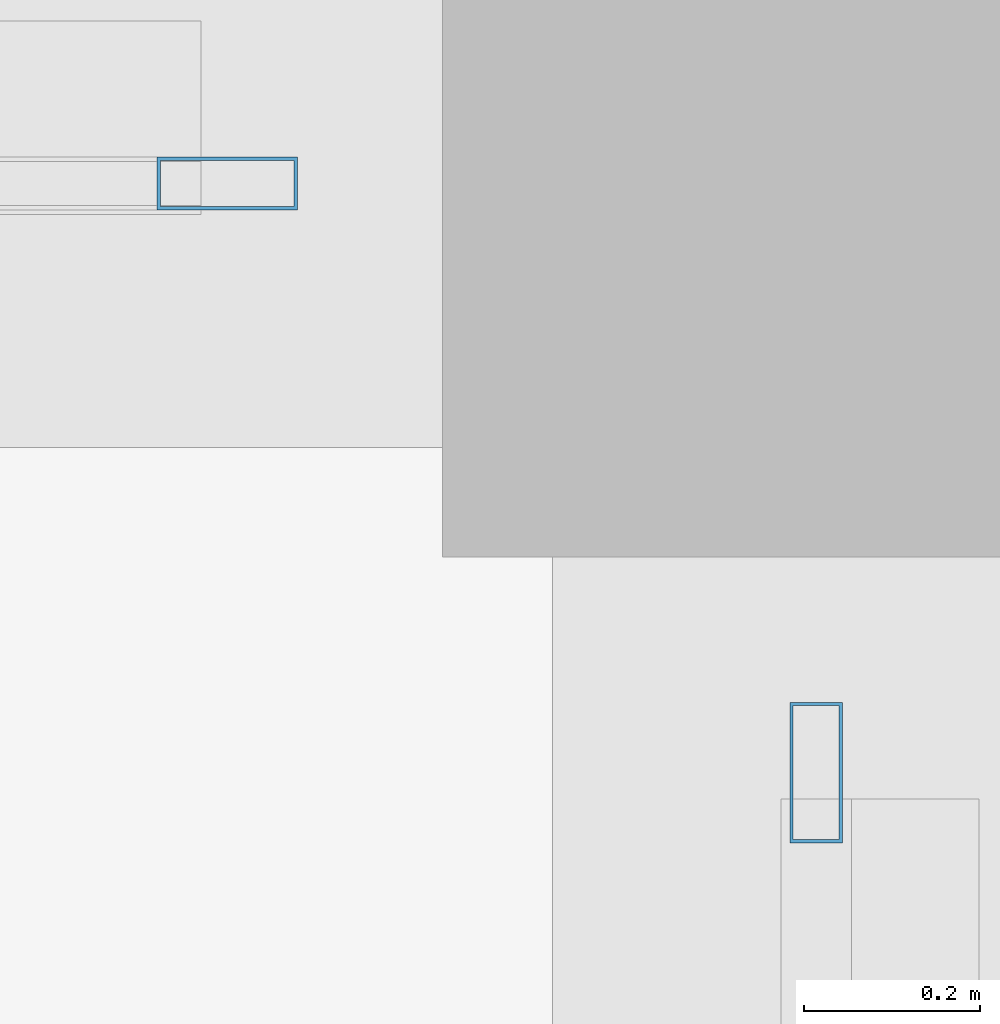
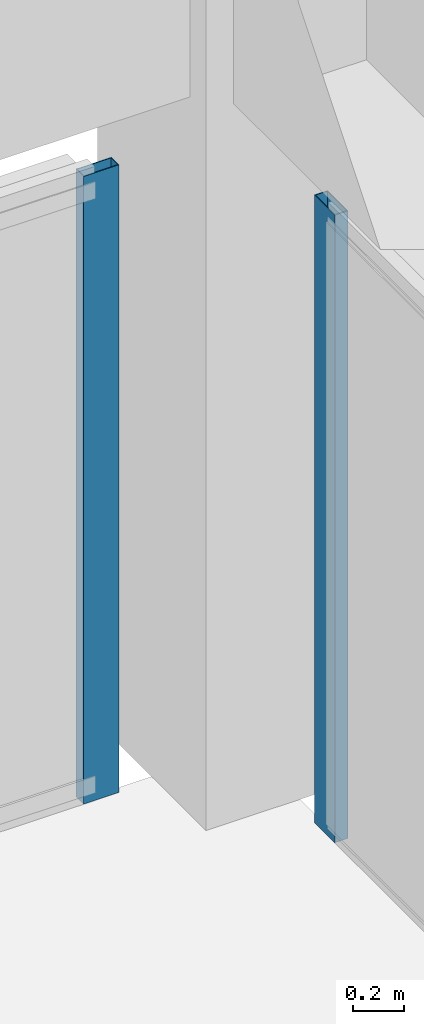
# One storey, part 23 of 48: 2 members, 2 elements without a shape of their own.
"""IFC4 building model written with IfcOpenShell, lengths in metres."""

from ifc_helpers import new_model, si_unit, direction, frame, origin, origin_2d, place, context, subcontext, project, spatial, hollow_rectangle, extrude, material, material_profile, profile_set, type_object, element, aggregate, save


model = new_model("IFC4")

# Units and contexts
model_context = context("Model", 3, precision=1e-05, world=origin(), true_north=direction((0.0, 1.0)))
body_context = subcontext(model_context, "Body", "Model", "MODEL_VIEW")
ifc_project = project(units=[si_unit("LENGTHUNIT", "METRE"), si_unit("AREAUNIT", "SQUARE_METRE"), si_unit("VOLUMEUNIT", "CUBIC_METRE"), si_unit("PLANEANGLEUNIT", "RADIAN"), si_unit("MASSUNIT", "GRAM", prefix="KILO")], contexts=[model_context])

# Site, building, storey
site_placement = place(None, origin())
site = spatial("IfcSite", under=ifc_project, at=site_placement, CompositionType="ELEMENT")
building_placement = place(site_placement, origin())
building = spatial("IfcBuilding", under=site, at=building_placement, Name="Kazehaya Institute of Natural Sciences", CompositionType="ELEMENT")
storey_placement = place(building_placement, frame((0.0, 0.0, 19.800048828125)))
storey = spatial("IfcBuildingStorey", under=building, at=storey_placement, Name="L04", CompositionType="ELEMENT", Elevation=19.800048828125)

# Curtain wall, member
ifc_material = material(Name="Aluminium alloy A6063S-T5", Category="aluminium")
curtain_wall_type_1 = type_object("IfcCurtainWallType", Name="CW-SYS-04", PredefinedType="NOTDEFINED", material=ifc_material)
curtain_wall_1_placement = place(storey_placement, origin())
curtain_wall_1 = element("IfcCurtainWall", 1, at=curtain_wall_1_placement, inside=storey, type_object=curtain_wall_type_1, Name="L04 unitised curtain wall CW-L04-085", PredefinedType="NOTDEFINED")
ifc_material_profile = material_profile(ifc_material, hollow_rectangle(XDim=0.06005859375, YDim=0.159912109375, WallThickness=0.00390625, at=origin_2d()), Name="ALU-60x160x4")
ifc_profile_set = profile_set([ifc_material_profile], Name="Aluminium alloy A6063S-T5")
member_type = type_object("IfcMemberType", Name="CWM-160", PredefinedType="MULLION", material=ifc_profile_set)
member_1_placement = place(storey_placement, frame((118.72998046875, 35.60009765625, 0.0), z_axis=(0.0, 0.0, 1.0), x_axis=(0.0, 1.0, 0.0)))
member_1 = element("IfcMember", 2, at=member_1_placement, type_object=member_type, Name="CW04 mullion 3", PredefinedType="MULLION", context=body_context, shape_type="SweptSolid", body=[
    extrude(hollow_rectangle(XDim=0.06005859375, YDim=0.159912109375, WallThickness=0.00390625, at=origin_2d()), origin(), (0.0, 0.0, 1.0), 3.0),
])
aggregate(curtain_wall_1, [member_1])

curtain_wall_type_2 = type_object("IfcCurtainWallType", Name="CW-SYS-10", PredefinedType="NOTDEFINED", material=ifc_material)
curtain_wall_2_placement = place(storey_placement, origin())
curtain_wall_2 = element("IfcCurtainWall", 3, at=curtain_wall_2_placement, inside=storey, type_object=curtain_wall_type_2, Name="L04 unitised curtain wall CW-L04-093", PredefinedType="NOTDEFINED")
member_2_placement = place(storey_placement, frame((119.39990234375, 34.929931640625, 0.0), z_axis=(0.0, 0.0, 1.0), x_axis=(1.0, 0.0, 0.0)))
member_2 = element("IfcMember", 4, at=member_2_placement, type_object=member_type, Name="CW10 mullion 1", PredefinedType="MULLION", context=body_context, shape_type="SweptSolid", body=[
    extrude(hollow_rectangle(XDim=0.06005859375, YDim=0.159912109375, WallThickness=0.00390625, at=origin_2d()), origin(), (0.0, 0.0, 1.0), 3.0),
])
aggregate(curtain_wall_2, [member_2])

save(model, "model.ifc")
